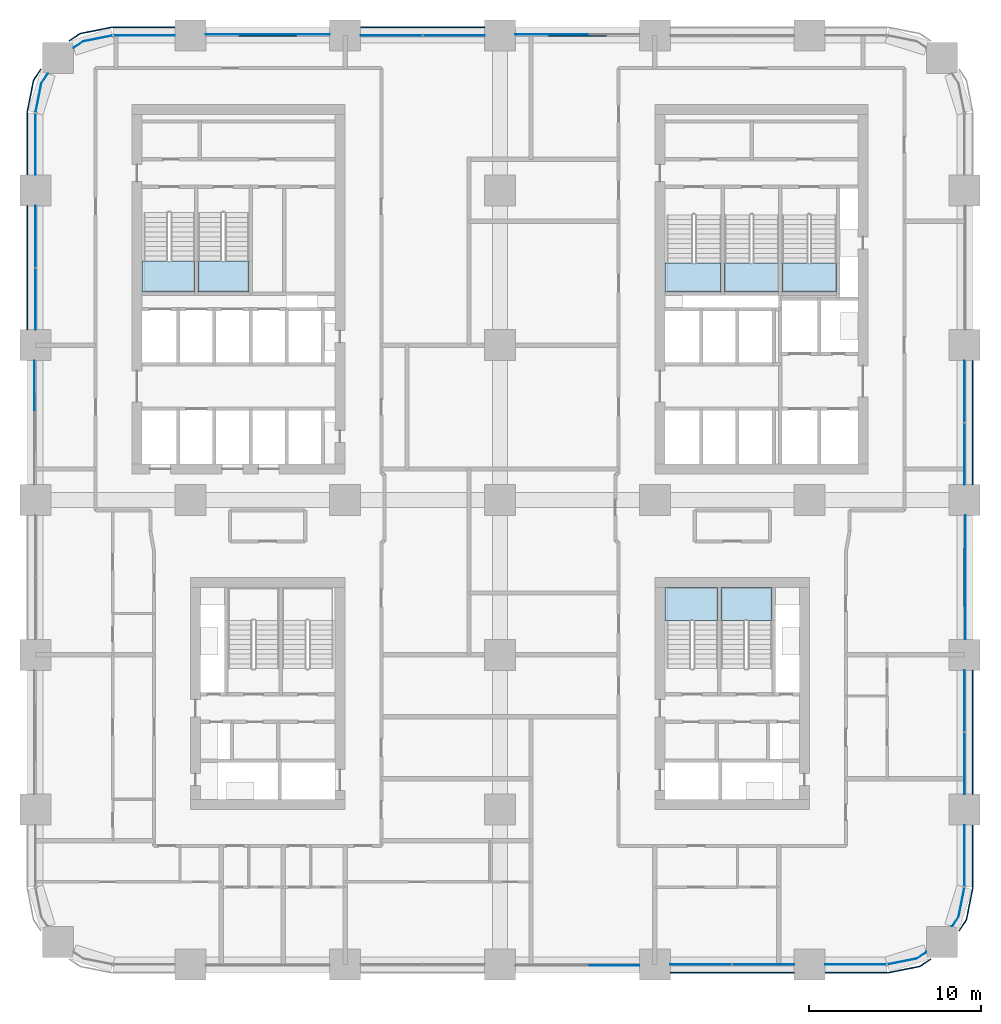
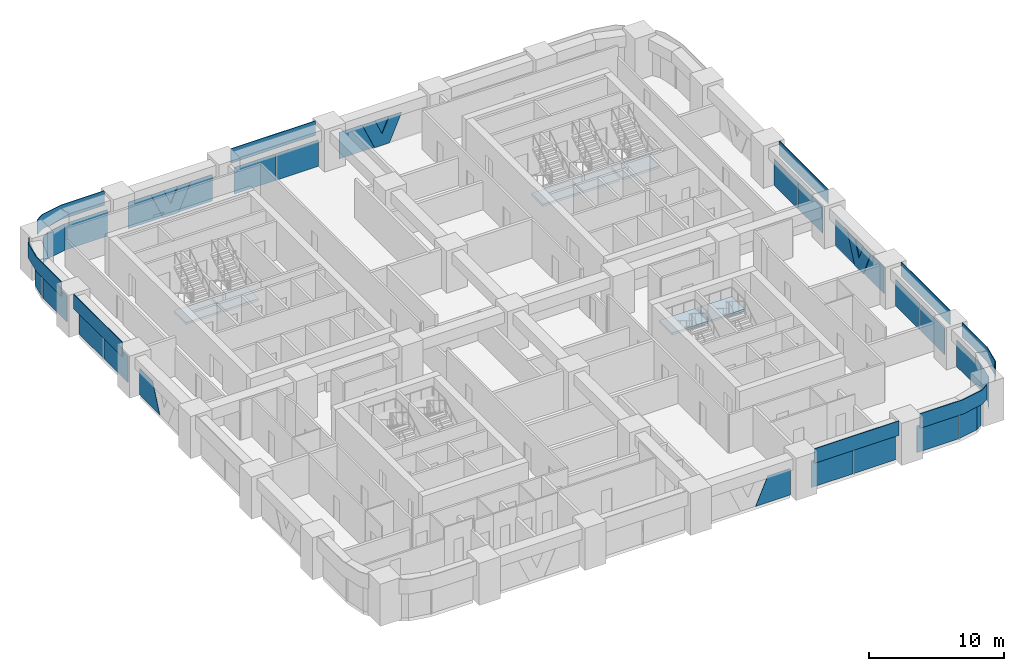
# One storey, part 11 of 21: 40 plates, 7 slabs, 21 elements without a shape of their own.
"""IFC4 building model written with IfcOpenShell, lengths in metres."""

import ifcopenshell
import ifcopenshell.guid

model = None  # the IFC model being written
_history = None  # IfcOwnerHistory: only IFC2X3 demands one
_inside = {}  # id of a spatial element -> (the spatial element, [elements in it])
_under = {}  # id of a project, library or spatial element -> (it, [spatial elements below it])
_declared = {}  # id of a project -> (the project, [libraries it declares])
_typed = {}  # id of a type object -> (the type object, [elements of that type])
_made_of = {}  # id of a material, layer set ... -> (it, [elements and type objects made of it])


def new_model(schema):
    """Start an empty IFC model of exactly this schema.

    Asked for "IFC4X3", IfcOpenShell would pick the latest addendum, in which some entities
    have other attributes; the version numbers below select the first issue.
    IFC2X3 requires an IfcOwnerHistory on every rooted entity: one is made here for all.
    """
    global model, _history
    if schema == "IFC4X3":
        model = ifcopenshell.file(schema_version=(4, 3, 0, 0))
    else:
        model = ifcopenshell.file(schema=schema)
    _inside.clear()
    _under.clear()
    _declared.clear()
    _typed.clear()
    _made_of.clear()
    _history = None
    if model.schema == "IFC2X3":
        org = make("IfcOrganization", Name="unknown")
        user = make(
            "IfcPersonAndOrganization",
            ThePerson=make("IfcPerson", FamilyName="unknown"),
            TheOrganization=org,
        )
        app = make(
            "IfcApplication",
            ApplicationDeveloper=org,
            Version="unknown",
            ApplicationFullName="unknown",
            ApplicationIdentifier="unknown",
        )
        _history = make(
            "IfcOwnerHistory",
            OwningUser=user,
            OwningApplication=app,
            ChangeAction="ADDED",
            CreationDate=0,
        )
    return model


def make(cls, **values):
    """One entity of the class cls with the attributes given. An attribute that is None is left unset."""
    return model.create_entity(
        cls, **{name: value for name, value in values.items() if value is not None}
    )


def rooted(cls, **values):
    """An entity with a GlobalId (a new one), such as an element, a storey or a relation."""
    return make(cls, GlobalId=ifcopenshell.guid.new(), OwnerHistory=_history, **values)


def si_unit(unit_type, name, prefix=None):
    """IfcSIUnit, for example si_unit("LENGTHUNIT", "METRE", prefix="MILLI")."""
    return make("IfcSIUnit", UnitType=unit_type, Prefix=prefix, Name=name)


def assignment(units):
    """IfcUnitAssignment: the units of a project."""
    return None if units is None else make("IfcUnitAssignment", Units=units)


def point(xyz):
    """IfcCartesianPoint."""
    return None if xyz is None else make("IfcCartesianPoint", Coordinates=xyz)


def direction(xyz):
    """IfcDirection."""
    return None if xyz is None else make("IfcDirection", DirectionRatios=xyz)


def frame(location, z_axis=None, x_axis=None):
    """IfcAxis2Placement3D, a coordinate frame: its origin and axes. An axis left out is left unset."""
    return make(
        "IfcAxis2Placement3D",
        Location=point(location),
        Axis=direction(z_axis),
        RefDirection=direction(x_axis),
    )


def frame_2d(location, x_axis=None):
    """IfcAxis2Placement2D, a coordinate frame in the plane: its origin and x axis."""
    return make(
        "IfcAxis2Placement2D", Location=point(location), RefDirection=direction(x_axis)
    )


def origin():
    """The frame at (0, 0, 0) with its axes left unset."""
    return frame((0.0, 0.0, 0.0))


def origin_2d():
    """The frame at (0, 0) in the plane with its x axis left unset."""
    return frame_2d((0.0, 0.0))


def place(relative_to, where):
    """IfcLocalPlacement: puts the frame where relative to a parent placement (None: the world)."""
    return make(
        "IfcLocalPlacement", PlacementRelTo=relative_to, RelativePlacement=where
    )


def context(
    kind, dimensions, precision=None, world=None, true_north=None, identifier=None
):
    """IfcGeometricRepresentationContext, for example the 3D "Model" context."""
    return make(
        "IfcGeometricRepresentationContext",
        ContextIdentifier=identifier,
        ContextType=kind,
        CoordinateSpaceDimension=dimensions,
        Precision=precision,
        WorldCoordinateSystem=world,
        TrueNorth=true_north,
    )


def subcontext(parent, identifier, kind, view, scale=None):
    """IfcGeometricRepresentationSubContext, for example "Body" below "Model"."""
    return make(
        "IfcGeometricRepresentationSubContext",
        ContextIdentifier=identifier,
        ContextType=kind,
        ParentContext=parent,
        TargetScale=scale,
        TargetView=view,
    )


def project(units=None, contexts=None):
    """IfcProject with its units and contexts."""
    return rooted(
        "IfcProject",
        Name="project",
        RepresentationContexts=contexts,
        UnitsInContext=assignment(units),
    )


def spatial(cls, under=None, at=None, **own):
    """A site, building, storey or space (cls), placed at a placement, below another one or the project."""
    s = rooted(cls, ObjectPlacement=at, **own)
    if under is not None:
        _under.setdefault(under.id(), (under, []))[1].append(s)
    return s


def polyline(points):
    """IfcPolyline through the points."""
    return make("IfcPolyline", Points=[point(p) for p in points])


def profile(cls, at=None, kind="AREA", **sizes):
    """A parametric profile (cls). Its sizes go by their IFC names, for example OverallWidth=200.0."""
    return make(cls, ProfileType=kind, Position=at, **sizes)


def rectangle(**sizes):
    """IfcRectangleProfileDef."""
    return profile("IfcRectangleProfileDef", **sizes)


def outline(outer, holes=None, kind="AREA"):
    """IfcArbitraryClosedProfileDef: a profile drawn as a closed curve; with holes, ...WithVoids."""
    if holes is None:
        return make("IfcArbitraryClosedProfileDef", ProfileType=kind, OuterCurve=outer)
    return make(
        "IfcArbitraryProfileDefWithVoids",
        ProfileType=kind,
        OuterCurve=outer,
        InnerCurves=holes,
    )


def extrude(swept, where, along, depth):
    """IfcExtrudedAreaSolid: the profile swept, set in the frame where, extruded along a direction by depth."""
    return make(
        "IfcExtrudedAreaSolid",
        SweptArea=swept,
        Position=where,
        ExtrudedDirection=direction(along),
        Depth=depth,
    )


def shape(context_of_items, identifier, shape_type, items):
    """IfcShapeRepresentation: the items that make up one representation, for example the "Body"."""
    return make(
        "IfcShapeRepresentation",
        ContextOfItems=context_of_items,
        RepresentationIdentifier=identifier,
        RepresentationType=shape_type,
        Items=items,
    )


def material(Name=None, Category=None):
    """IfcMaterial."""
    return make("IfcMaterial", Name=Name, Category=Category)


def layer(
    of_material, thickness, ventilated=None, Name=None, Category=None, Priority=None
):
    """IfcMaterialLayer: one layer of a wall or slab, of a material (None: an air gap)."""
    return make(
        "IfcMaterialLayer",
        Material=of_material,
        LayerThickness=thickness,
        IsVentilated=ventilated,
        Name=Name,
        Category=Category,
        Priority=Priority,
    )


def layer_set(layers, Name=None):
    """IfcMaterialLayerSet."""
    return make("IfcMaterialLayerSet", MaterialLayers=layers, LayerSetName=Name)


def made_of(thing, what):
    """Note that an element or type object is made of a material, layer set ...; save() writes the relation."""
    if what is not None:
        _made_of.setdefault(what.id(), (what, []))[1].append(thing)
    return thing


def type_object(cls, material=None, **own):
    """A type object (cls), such as IfcWallType, which elements share."""
    return made_of(rooted(cls, **own), material)


def element(
    cls,
    number,
    at=None,
    inside=None,
    cuts=None,
    type_object=None,
    material=None,
    context=None,
    identifier="Body",
    shape_type=None,
    held_by="IfcProductDefinitionShape",
    body=None,
    shapes=None,
    **own,
):
    """One element of the class cls, such as IfcWall. Its Tag is "e" and its number.

    at: its placement. inside: the storey or other place that contains it. cuts: it is an
    opening in that element (IfcRelVoidsElement). A single representation is given by context,
    identifier, shape_type and body (its items); several are given by shapes. held_by: the class
    of the entity that holds the representations. save() writes the other relations.
    """
    e = rooted(cls, Tag="e%d" % number, ObjectPlacement=at, **own)
    if body is not None:
        shapes = [shape(context, identifier, shape_type, body)]
    if shapes is not None:
        e.Representation = make(held_by, Representations=shapes)
    if inside is not None:
        _inside.setdefault(inside.id(), (inside, []))[1].append(e)
    if cuts is not None:
        rooted(
            "IfcRelVoidsElement", RelatingBuildingElement=cuts, RelatedOpeningElement=e
        )
    if type_object is not None:
        _typed.setdefault(type_object.id(), (type_object, []))[1].append(e)
    return made_of(e, material)


def aggregate(whole, parts):
    """IfcRelAggregates: a whole, such as a stair, and the parts it consists of."""
    return rooted("IfcRelAggregates", RelatingObject=whole, RelatedObjects=parts)


def save(model, path):
    """Write the relations noted so far, then the file.

    IfcRelAggregates (storeys below a building ...), IfcRelContainedInSpatialStructure (elements
    in a storey), IfcRelDefinesByType, IfcRelAssociatesMaterial and IfcRelDeclares: one each for
    every whole, place, type object, material and project.
    """
    for whole, parts in _under.values():
        aggregate(whole, parts)
    for where, things in _inside.values():
        rooted(
            "IfcRelContainedInSpatialStructure",
            RelatedElements=things,
            RelatingStructure=where,
        )
    for kind, things in _typed.values():
        rooted("IfcRelDefinesByType", RelatedObjects=things, RelatingType=kind)
    for what, things in _made_of.values():
        rooted("IfcRelAssociatesMaterial", RelatedObjects=things, RelatingMaterial=what)
    for by, libraries in _declared.values():
        rooted("IfcRelDeclares", RelatingContext=by, RelatedDefinitions=libraries)
    model.write(path)


model = new_model("IFC4")

# Units and contexts
model_context = context("Model", 3, precision=1e-05, world=origin(), true_north=direction((0.0, 1.0)))
body_context = subcontext(model_context, "Body", "Model", "MODEL_VIEW")
ifc_project = project(units=[si_unit("LENGTHUNIT", "METRE"), si_unit("AREAUNIT", "SQUARE_METRE"), si_unit("VOLUMEUNIT", "CUBIC_METRE"), si_unit("PLANEANGLEUNIT", "RADIAN"), si_unit("MASSUNIT", "GRAM", prefix="KILO")], contexts=[model_context])

# Site, building, storey
site_placement = place(None, origin())
site = spatial("IfcSite", under=ifc_project, at=site_placement, CompositionType="ELEMENT")
building_placement = place(site_placement, origin())
building = spatial("IfcBuilding", under=site, at=building_placement, Name="Tessera Arch", CompositionType="ELEMENT")
storey_placement = place(building_placement, frame((0.0, 0.0, 69.0)))
storey = spatial("IfcBuildingStorey", under=building, at=storey_placement, Name="L15", CompositionType="ELEMENT", Elevation=69.0)

# Curtain wall, plates
ifc_material_1 = material(Name="CW1 curtain wall")
curtain_wall_type_1 = type_object("IfcCurtainWallType", Name="CW1 curtain wall", PredefinedType="NOTDEFINED", material=ifc_material_1)
curtain_wall_1_placement = place(storey_placement, origin())
curtain_wall_1 = element("IfcCurtainWall", 1, at=curtain_wall_1_placement, inside=storey, type_object=curtain_wall_type_1, Name="CW1 curtain wall S0.0/3 L15", PredefinedType="NOTDEFINED")
ifc_material_2 = material(Name="Clear low-e glass", Category="glass")
ifc_material_3 = material(Name="Clear low-e glass", Category="glass")
ifc_layer_1 = layer(ifc_material_3, 0.028076171875)
ifc_layer_set_1 = layer_set([ifc_layer_1], Name="CW1 glass panel")
plate_type_1 = type_object("IfcPlateType", Name="CW1 glass panel", PredefinedType="CURTAIN_PANEL", material=ifc_layer_set_1)
plate_1_placement = place(storey_placement, frame((38.68505859375, 0.0, 0.0), z_axis=(0.0, 0.0, 1.0), x_axis=(1.0, 0.0, 0.0)))
plate_1 = element("IfcPlate", 2, at=plate_1_placement, type_object=plate_type_1, material=ifc_material_2, Name="CW1 glass panel S0.0/3 1.1.1", PredefinedType="CURTAIN_PANEL", context=body_context, shape_type="SweptSolid", body=[
    extrude(rectangle(XDim=3.570068359375, YDim=0.028076171875, at=origin_2d()), origin(), (0.0, 0.0, 1.0), 2.39990234375),
])
plate_2_placement = place(storey_placement, frame((42.31494140625, 0.0, 0.0), z_axis=(0.0, 0.0, 1.0), x_axis=(1.0, 0.0, 0.0)))
plate_2 = element("IfcPlate", 3, at=plate_2_placement, type_object=plate_type_1, material=ifc_material_2, Name="CW1 glass panel S0.0/3 1.2.1", PredefinedType="CURTAIN_PANEL", context=body_context, shape_type="SweptSolid", body=[
    extrude(rectangle(XDim=3.570068359375, YDim=0.028076171875, at=origin_2d()), origin(), (0.0, 0.0, 1.0), 2.39990234375),
])

curtain_wall_2_placement = place(storey_placement, origin())
curtain_wall_2 = element("IfcCurtainWall", 4, at=curtain_wall_2_placement, inside=storey, type_object=curtain_wall_type_1, Name="CW1 curtain wall E54.0/1 L15", PredefinedType="NOTDEFINED")
plate_3_placement = place(storey_placement, frame((54.0, 11.68505859375, 0.0), z_axis=(0.0, 0.0, 1.0), x_axis=(0.0, 1.0, 0.0)))
plate_3 = element("IfcPlate", 5, at=plate_3_placement, type_object=plate_type_1, material=ifc_material_2, Name="CW1 glass panel E54.0/1 1.1.1", PredefinedType="CURTAIN_PANEL", context=body_context, shape_type="SweptSolid", body=[
    extrude(rectangle(XDim=3.570068359375, YDim=0.028076171875, at=origin_2d()), origin(), (0.0, 0.0, 1.0), 2.39990234375),
])
plate_4_placement = place(storey_placement, frame((54.0, 15.31494140625, 0.0), z_axis=(0.0, 0.0, 1.0), x_axis=(0.0, 1.0, 0.0)))
plate_4 = element("IfcPlate", 6, at=plate_4_placement, type_object=plate_type_1, material=ifc_material_2, Name="CW1 glass panel E54.0/1 1.2.1", PredefinedType="CURTAIN_PANEL", context=body_context, shape_type="SweptSolid", body=[
    extrude(rectangle(XDim=3.570068359375, YDim=0.028076171875, at=origin_2d()), origin(), (0.0, 0.0, 1.0), 2.39990234375),
])

curtain_wall_3_placement = place(storey_placement, origin())
curtain_wall_3 = element("IfcCurtainWall", 7, at=curtain_wall_3_placement, inside=storey, type_object=curtain_wall_type_1, Name="CW1 curtain wall E54.0/3 L15", PredefinedType="NOTDEFINED")
plate_5_placement = place(storey_placement, frame((54.0, 29.68505859375, 0.0), z_axis=(0.0, 0.0, 1.0), x_axis=(0.0, 1.0, 0.0)))
plate_5 = element("IfcPlate", 8, at=plate_5_placement, type_object=plate_type_1, material=ifc_material_2, Name="CW1 glass panel E54.0/3 1.1.1", PredefinedType="CURTAIN_PANEL", context=body_context, shape_type="SweptSolid", body=[
    extrude(rectangle(XDim=3.570068359375, YDim=0.028076171875, at=origin_2d()), origin(), (0.0, 0.0, 1.0), 2.39990234375),
])
plate_6_placement = place(storey_placement, frame((54.0, 33.31494140625, 0.0), z_axis=(0.0, 0.0, 1.0), x_axis=(0.0, 1.0, 0.0)))
plate_6 = element("IfcPlate", 9, at=plate_6_placement, type_object=plate_type_1, material=ifc_material_2, Name="CW1 glass panel E54.0/3 1.2.1", PredefinedType="CURTAIN_PANEL", context=body_context, shape_type="SweptSolid", body=[
    extrude(rectangle(XDim=3.570068359375, YDim=0.028076171875, at=origin_2d()), origin(), (0.0, 0.0, 1.0), 2.39990234375),
])

curtain_wall_4_placement = place(storey_placement, origin())
curtain_wall_4 = element("IfcCurtainWall", 10, at=curtain_wall_4_placement, inside=storey, type_object=curtain_wall_type_1, Name="CW1 curtain wall N54.0/3 L15", PredefinedType="NOTDEFINED")
plate_7_placement = place(storey_placement, frame((24.31494140625, 54.0, 0.0), z_axis=(0.0, 0.0, 1.0), x_axis=(-1.0, 0.0, 0.0)))
plate_7 = element("IfcPlate", 11, at=plate_7_placement, type_object=plate_type_1, material=ifc_material_2, Name="CW1 glass panel N54.0/3 1.1.1", PredefinedType="CURTAIN_PANEL", context=body_context, shape_type="SweptSolid", body=[
    extrude(rectangle(XDim=3.570068359375, YDim=0.028076171875, at=origin_2d()), origin(), (0.0, 0.0, 1.0), 2.39990234375),
])
plate_8_placement = place(storey_placement, frame((20.68505859375, 54.0, 0.0), z_axis=(0.0, 0.0, 1.0), x_axis=(-1.0, 0.0, 0.0)))
plate_8 = element("IfcPlate", 12, at=plate_8_placement, type_object=plate_type_1, material=ifc_material_2, Name="CW1 glass panel N54.0/3 1.2.1", PredefinedType="CURTAIN_PANEL", context=body_context, shape_type="SweptSolid", body=[
    extrude(rectangle(XDim=3.570068359375, YDim=0.028076171875, at=origin_2d()), origin(), (0.0, 0.0, 1.0), 2.39990234375),
])

curtain_wall_5_placement = place(storey_placement, origin())
curtain_wall_5 = element("IfcCurtainWall", 13, at=curtain_wall_5_placement, inside=storey, type_object=curtain_wall_type_1, Name="CW1 curtain wall W0.0/1 L15", PredefinedType="NOTDEFINED")
plate_9_placement = place(storey_placement, frame((0.0, 42.31494140625, 0.0), z_axis=(0.0, 0.0, 1.0), x_axis=(0.0, -1.0, 0.0)))
plate_9 = element("IfcPlate", 14, at=plate_9_placement, type_object=plate_type_1, material=ifc_material_2, Name="CW1 glass panel W0.0/1 1.1.1", PredefinedType="CURTAIN_PANEL", context=body_context, shape_type="SweptSolid", body=[
    extrude(rectangle(XDim=3.570068359375, YDim=0.028076171875, at=origin_2d()), origin(), (0.0, 0.0, 1.0), 2.39990234375),
])
plate_10_placement = place(storey_placement, frame((0.0, 38.68505859375, 0.0), z_axis=(0.0, 0.0, 1.0), x_axis=(0.0, -1.0, 0.0)))
plate_10 = element("IfcPlate", 15, at=plate_10_placement, type_object=plate_type_1, material=ifc_material_2, Name="CW1 glass panel W0.0/1 1.2.1", PredefinedType="CURTAIN_PANEL", context=body_context, shape_type="SweptSolid", body=[
    extrude(rectangle(XDim=3.570068359375, YDim=0.028076171875, at=origin_2d()), origin(), (0.0, 0.0, 1.0), 2.39990234375),
])

# Plate
ifc_material_4 = material(Name="Pale anodised aluminium panel", Category="aluminium")
ifc_layer_2 = layer(ifc_material_4, 0.06005859375)
ifc_layer_set_2 = layer_set([ifc_layer_2], Name="CW1 spandrel panel")
plate_type_2 = type_object("IfcPlateType", Name="CW1 spandrel panel", PredefinedType="CURTAIN_PANEL", material=ifc_layer_set_2)
plate_11_placement = place(storey_placement, frame((40.5, -0.47998046875, 2.5), z_axis=(0.0, 0.0, 1.0), x_axis=(1.0, 0.0, 0.0)))
plate_11 = element("IfcPlate", 16, at=plate_11_placement, type_object=plate_type_2, Name="CW1 spandrel panel S0.0/3", PredefinedType="CURTAIN_PANEL", context=body_context, shape_type="SweptSolid", body=[
    extrude(rectangle(XDim=7.199951171875, YDim=0.06005859375, at=origin_2d()), origin(), (0.0, 0.0, 1.0), 1.300048828125),
])

aggregate(curtain_wall_1, [plate_1, plate_2, plate_11])

plate_12_placement = place(storey_placement, frame((54.47998046875, 13.5, 2.5), z_axis=(0.0, 0.0, 1.0), x_axis=(0.0, 1.0, 0.0)))
plate_12 = element("IfcPlate", 17, at=plate_12_placement, type_object=plate_type_2, Name="CW1 spandrel panel E54.0/1", PredefinedType="CURTAIN_PANEL", context=body_context, shape_type="SweptSolid", body=[
    extrude(rectangle(XDim=7.199951171875, YDim=0.06005859375, at=origin_2d()), origin(), (0.0, 0.0, 1.0), 1.300048828125),
])

aggregate(curtain_wall_2, [plate_3, plate_4, plate_12])

plate_13_placement = place(storey_placement, frame((54.47998046875, 31.5, 2.5), z_axis=(0.0, 0.0, 1.0), x_axis=(0.0, 1.0, 0.0)))
plate_13 = element("IfcPlate", 18, at=plate_13_placement, type_object=plate_type_2, Name="CW1 spandrel panel E54.0/3", PredefinedType="CURTAIN_PANEL", context=body_context, shape_type="SweptSolid", body=[
    extrude(rectangle(XDim=7.199951171875, YDim=0.06005859375, at=origin_2d()), origin(), (0.0, 0.0, 1.0), 1.300048828125),
])

aggregate(curtain_wall_3, [plate_5, plate_6, plate_13])

plate_14_placement = place(storey_placement, frame((22.5, 54.47998046875, 2.5), z_axis=(0.0, 0.0, 1.0), x_axis=(-1.0, 0.0, 0.0)))
plate_14 = element("IfcPlate", 19, at=plate_14_placement, type_object=plate_type_2, Name="CW1 spandrel panel N54.0/3", PredefinedType="CURTAIN_PANEL", context=body_context, shape_type="SweptSolid", body=[
    extrude(rectangle(XDim=7.199951171875, YDim=0.06005859375, at=origin_2d()), origin(), (0.0, 0.0, 1.0), 1.300048828125),
])

aggregate(curtain_wall_4, [plate_7, plate_8, plate_14])

plate_15_placement = place(storey_placement, frame((-0.47998046875, 40.5, 2.5), z_axis=(0.0, 0.0, 1.0), x_axis=(0.0, -1.0, 0.0)))
plate_15 = element("IfcPlate", 20, at=plate_15_placement, type_object=plate_type_2, Name="CW1 spandrel panel W0.0/1", PredefinedType="CURTAIN_PANEL", context=body_context, shape_type="SweptSolid", body=[
    extrude(rectangle(XDim=7.199951171875, YDim=0.06005859375, at=origin_2d()), origin(), (0.0, 0.0, 1.0), 1.300048828125),
])

aggregate(curtain_wall_5, [plate_9, plate_10, plate_15])

# Curtain wall, plates
ifc_material_5 = material(Name="CW2 curtain wall")
curtain_wall_type_2 = type_object("IfcCurtainWallType", Name="CW2 curtain wall", PredefinedType="NOTDEFINED", material=ifc_material_5)
curtain_wall_6_placement = place(storey_placement, origin())
curtain_wall_6 = element("IfcCurtainWall", 21, at=curtain_wall_6_placement, inside=storey, type_object=curtain_wall_type_2, Name="CW2 curtain wall S0.0/4 L15", PredefinedType="NOTDEFINED")
ifc_material_6 = material(Name="Clear low-e glass", Category="glass")
ifc_layer_3 = layer(ifc_material_6, 0.028076171875)
ifc_layer_set_3 = layer_set([ifc_layer_3], Name="CW2 glass panel")
plate_type_3 = type_object("IfcPlateType", Name="CW2 glass panel", PredefinedType="CURTAIN_PANEL", material=ifc_layer_set_3)
plate_16_placement = place(storey_placement, frame((47.679931640625, 0.0, 0.0), z_axis=(0.0, 0.0, 1.0), x_axis=(1.0, 0.0, 0.0)))
plate_16 = element("IfcPlate", 22, at=plate_16_placement, type_object=plate_type_3, material=ifc_material_2, Name="CW2 glass panel S0.0/4 1.1", PredefinedType="CURTAIN_PANEL", context=body_context, shape_type="SweptSolid", body=[
    extrude(rectangle(XDim=3.56005859375, YDim=0.028076171875, at=origin_2d()), origin(), (0.0, 0.0, 1.0), 2.39990234375),
])
plate_17_placement = place(storey_placement, origin())
plate_17 = element("IfcPlate", 23, at=plate_17_placement, type_object=plate_type_3, material=ifc_material_2, Name="CW2 curved glass panel S0.0/4 2.1", PredefinedType="CURTAIN_PANEL", context=body_context, shape_type="SweptSolid", body=[
    extrude(outline(polyline([(51.216552734375, 0.355712890625), (49.53662109375, 0.021484375), (49.5419921875, -0.005859375), (51.2275390625, 0.329345703125), (51.789794921875, 0.705078125), (51.774169921875, 0.728271484375), (51.216552734375, 0.355712890625)])), origin(), (0.0, 0.0, 1.0), 2.39990234375),
])

curtain_wall_7_placement = place(storey_placement, origin())
curtain_wall_7 = element("IfcCurtainWall", 24, at=curtain_wall_7_placement, inside=storey, type_object=curtain_wall_type_2, Name="CW2 curtain wall E54.0/0 L15", PredefinedType="NOTDEFINED")
plate_18_placement = place(storey_placement, frame((54.0, 6.320068359375, 0.0), z_axis=(0.0, 0.0, 1.0), x_axis=(0.0, 1.0, 0.0)))
plate_18 = element("IfcPlate", 25, at=plate_18_placement, type_object=plate_type_3, material=ifc_material_2, Name="CW2 glass panel E54.0/0 1.1", PredefinedType="CURTAIN_PANEL", context=body_context, shape_type="SweptSolid", body=[
    extrude(rectangle(XDim=3.56005859375, YDim=0.028076171875, at=origin_2d()), origin(), (0.0, 0.0, 1.0), 2.39990234375),
])
plate_19_placement = place(storey_placement, origin())
plate_19 = element("IfcPlate", 26, at=plate_19_placement, type_object=plate_type_3, material=ifc_material_2, Name="CW2 curved glass panel E54.0/0 2.1", PredefinedType="CURTAIN_PANEL", context=body_context, shape_type="SweptSolid", body=[
    extrude(outline(polyline([(53.644287109375, 2.783447265625), (53.271728515625, 2.225830078125), (53.294921875, 2.210205078125), (53.670654296875, 2.7724609375), (54.005859375, 4.4580078125), (53.978515625, 4.46337890625), (53.644287109375, 2.783447265625)])), origin(), (0.0, 0.0, 1.0), 2.39990234375),
])

curtain_wall_8_placement = place(storey_placement, origin())
curtain_wall_8 = element("IfcCurtainWall", 27, at=curtain_wall_8_placement, inside=storey, type_object=curtain_wall_type_2, Name="CW2 curtain wall N54.0/5 L15", PredefinedType="NOTDEFINED")
plate_20_placement = place(storey_placement, frame((6.320068359375, 54.0, 0.0), z_axis=(0.0, 0.0, 1.0), x_axis=(-1.0, 0.0, 0.0)))
plate_20 = element("IfcPlate", 28, at=plate_20_placement, type_object=plate_type_3, material=ifc_material_2, Name="CW2 glass panel N54.0/5 1.1", PredefinedType="CURTAIN_PANEL", context=body_context, shape_type="SweptSolid", body=[
    extrude(rectangle(XDim=3.56005859375, YDim=0.028076171875, at=origin_2d()), origin(), (0.0, 0.0, 1.0), 2.39990234375),
])
plate_21_placement = place(storey_placement, origin())
plate_21 = element("IfcPlate", 29, at=plate_21_placement, type_object=plate_type_3, material=ifc_material_2, Name="CW2 curved glass panel N54.0/5 2.1", PredefinedType="CURTAIN_PANEL", context=body_context, shape_type="SweptSolid", body=[
    extrude(outline(polyline([(2.783447265625, 53.644287109375), (4.46337890625, 53.978515625), (4.4580078125, 54.005859375), (2.7724609375, 53.670654296875), (2.210205078125, 53.294921875), (2.225830078125, 53.271728515625), (2.783447265625, 53.644287109375)])), origin(), (0.0, 0.0, 1.0), 2.39990234375),
])

curtain_wall_9_placement = place(storey_placement, origin())
curtain_wall_9 = element("IfcCurtainWall", 30, at=curtain_wall_9_placement, inside=storey, type_object=curtain_wall_type_2, Name="CW2 curtain wall W0.0/0 L15", PredefinedType="NOTDEFINED")
plate_22_placement = place(storey_placement, frame((0.0, 47.679931640625, 0.0), z_axis=(0.0, 0.0, 1.0), x_axis=(0.0, -1.0, 0.0)))
plate_22 = element("IfcPlate", 31, at=plate_22_placement, type_object=plate_type_3, material=ifc_material_2, Name="CW2 glass panel W0.0/0 1.1", PredefinedType="CURTAIN_PANEL", context=body_context, shape_type="SweptSolid", body=[
    extrude(rectangle(XDim=3.56005859375, YDim=0.028076171875, at=origin_2d()), origin(), (0.0, 0.0, 1.0), 2.39990234375),
])
plate_23_placement = place(storey_placement, origin())
plate_23 = element("IfcPlate", 32, at=plate_23_placement, type_object=plate_type_3, material=ifc_material_2, Name="CW2 curved glass panel W0.0/0 2.1", PredefinedType="CURTAIN_PANEL", context=body_context, shape_type="SweptSolid", body=[
    extrude(outline(polyline([(0.355712890625, 51.216552734375), (0.728271484375, 51.774169921875), (0.705078125, 51.789794921875), (0.329345703125, 51.2275390625), (-0.005859375, 49.5419921875), (0.021484375, 49.53662109375), (0.355712890625, 51.216552734375)])), origin(), (0.0, 0.0, 1.0), 2.39990234375),
])

# Plate
ifc_material_7 = material(Name="Pale anodised aluminium panel", Category="aluminium")
ifc_layer_4 = layer(ifc_material_7, 0.06005859375)
ifc_layer_set_4 = layer_set([ifc_layer_4], Name="CW2 spandrel panel")
plate_type_4 = type_object("IfcPlateType", Name="CW2 spandrel panel", PredefinedType="CURTAIN_PANEL", material=ifc_layer_set_4)
plate_24_placement = place(storey_placement, frame((0.0, 0.0, 2.5)))
plate_24 = element("IfcPlate", 33, at=plate_24_placement, type_object=plate_type_4, Name="CW2 spandrel panel S0.0/4", PredefinedType="CURTAIN_PANEL", context=body_context, shape_type="SweptSolid", body=[
    extrude(outline(polyline([(49.499267578125, -0.449951171875), (45.89990234375, -0.449951171875), (45.89990234375, -0.510009765625), (49.500732421875, -0.510009765625), (49.550048828125, -0.507568359375), (49.598876953125, -0.500244140625), (51.322265625, -0.157470703125), (51.3701171875, -0.1455078125), (51.417236328125, -0.128662109375), (51.462646484375, -0.107177734375), (51.5048828125, -0.08203125), (52.0654296875, 0.292724609375), (52.031982421875, 0.342529296875), (51.47265625, -0.03125), (51.434326171875, -0.05419921875), (51.394287109375, -0.0732421875), (51.352783203125, -0.088134765625), (51.30908203125, -0.09912109375), (49.588623046875, -0.441162109375), (49.544189453125, -0.44775390625), (49.499267578125, -0.449951171875)])), origin(), (0.0, 0.0, 1.0), 1.300048828125),
])

aggregate(curtain_wall_6, [plate_16, plate_17, plate_24])

plate_25_placement = place(storey_placement, frame((0.0, 0.0, 2.5)))
plate_25 = element("IfcPlate", 34, at=plate_25_placement, type_object=plate_type_4, Name="CW2 spandrel panel E54.0/0", PredefinedType="CURTAIN_PANEL", context=body_context, shape_type="SweptSolid", body=[
    extrude(outline(polyline([(54.03125, 2.52734375), (53.657470703125, 1.968017578125), (53.707275390625, 1.9345703125), (54.08203125, 2.4951171875), (54.107177734375, 2.537353515625), (54.128662109375, 2.582763671875), (54.1455078125, 2.6298828125), (54.157470703125, 2.677734375), (54.500244140625, 4.401123046875), (54.507568359375, 4.449951171875), (54.510009765625, 4.499267578125), (54.510009765625, 8.10009765625), (54.449951171875, 8.10009765625), (54.449951171875, 4.500732421875), (54.44775390625, 4.455810546875), (54.441162109375, 4.411376953125), (54.09912109375, 2.69091796875), (54.088134765625, 2.647216796875), (54.0732421875, 2.605712890625), (54.05419921875, 2.565673828125), (54.03125, 2.52734375)])), origin(), (0.0, 0.0, 1.0), 1.300048828125),
])

aggregate(curtain_wall_7, [plate_18, plate_19, plate_25])

plate_26_placement = place(storey_placement, frame((0.0, 0.0, 2.5)))
plate_26 = element("IfcPlate", 35, at=plate_26_placement, type_object=plate_type_4, Name="CW2 spandrel panel N54.0/5", PredefinedType="CURTAIN_PANEL", context=body_context, shape_type="SweptSolid", body=[
    extrude(outline(polyline([(4.500732421875, 54.449951171875), (8.10009765625, 54.449951171875), (8.10009765625, 54.510009765625), (4.499267578125, 54.510009765625), (4.449951171875, 54.507568359375), (4.401123046875, 54.500244140625), (2.677734375, 54.157470703125), (2.6298828125, 54.1455078125), (2.582763671875, 54.128662109375), (2.537353515625, 54.107177734375), (2.4951171875, 54.08203125), (1.9345703125, 53.707275390625), (1.968017578125, 53.657470703125), (2.52734375, 54.03125), (2.565673828125, 54.05419921875), (2.605712890625, 54.0732421875), (2.647216796875, 54.088134765625), (2.69091796875, 54.09912109375), (4.411376953125, 54.441162109375), (4.455810546875, 54.44775390625), (4.500732421875, 54.449951171875)])), origin(), (0.0, 0.0, 1.0), 1.300048828125),
])

aggregate(curtain_wall_8, [plate_20, plate_21, plate_26])

plate_27_placement = place(storey_placement, frame((0.0, 0.0, 2.5)))
plate_27 = element("IfcPlate", 36, at=plate_27_placement, type_object=plate_type_4, Name="CW2 spandrel panel W0.0/0", PredefinedType="CURTAIN_PANEL", context=body_context, shape_type="SweptSolid", body=[
    extrude(outline(polyline([(-0.03125, 51.47265625), (0.342529296875, 52.031982421875), (0.292724609375, 52.0654296875), (-0.08203125, 51.5048828125), (-0.107177734375, 51.462646484375), (-0.128662109375, 51.417236328125), (-0.1455078125, 51.3701171875), (-0.157470703125, 51.322265625), (-0.500244140625, 49.598876953125), (-0.507568359375, 49.550048828125), (-0.510009765625, 49.500732421875), (-0.510009765625, 45.89990234375), (-0.449951171875, 45.89990234375), (-0.449951171875, 49.499267578125), (-0.44775390625, 49.544189453125), (-0.441162109375, 49.588623046875), (-0.09912109375, 51.30908203125), (-0.088134765625, 51.352783203125), (-0.0732421875, 51.394287109375), (-0.05419921875, 51.434326171875), (-0.03125, 51.47265625)])), origin(), (0.0, 0.0, 1.0), 1.300048828125),
])

aggregate(curtain_wall_9, [plate_22, plate_23, plate_27])

# Curtain wall, plate
ifc_material_8 = material(Name="CW3 curtain wall")
curtain_wall_type_3 = type_object("IfcCurtainWallType", Name="CW3 curtain wall", PredefinedType="NOTDEFINED", material=ifc_material_8)
curtain_wall_10_placement = place(storey_placement, origin())
curtain_wall_10 = element("IfcCurtainWall", 37, at=curtain_wall_10_placement, inside=storey, type_object=curtain_wall_type_3, Name="CW3 curtain wall E54.0/2 L15", PredefinedType="NOTDEFINED")
ifc_material_9 = material(Name="Pale anodised aluminium panel", Category="aluminium")
ifc_layer_5 = layer(ifc_material_9, 0.06005859375)
ifc_layer_set_5 = layer_set([ifc_layer_5], Name="CW3 diagonal panel")
plate_type_5 = type_object("IfcPlateType", Name="CW3 diagonal panel", PredefinedType="CURTAIN_PANEL", material=ifc_layer_set_5)
plate_28_placement = place(storey_placement, frame((54.030029296875, 24.184326171875, 2.39990234375), z_axis=(1.0, 0.0, 0.0), x_axis=(0.0, -1.0, 0.0)))
plate_28 = element("IfcPlate", 38, at=plate_28_placement, type_object=plate_type_5, Name="CW3 diagonal panel E54.0/2 1", PredefinedType="CURTAIN_PANEL", context=body_context, shape_type="SweptSolid", body=[
    extrude(outline(polyline([(0.0, 0.0), (1.085693359375, 0.0), (1.684326171875, 1.363525390625), (2.282958984375, 0.0), (3.36865234375, 0.0), (2.31494140625, 2.39990234375), (1.0537109375, 2.39990234375), (0.0, 0.0)])), origin(), (0.0, 0.0, -1.0), 0.06005859375),
])

curtain_wall_11_placement = place(storey_placement, origin())
curtain_wall_11 = element("IfcCurtainWall", 39, at=curtain_wall_11_placement, inside=storey, type_object=curtain_wall_type_3, Name="CW3 curtain wall N54.0/2 L15", PredefinedType="NOTDEFINED")
plate_29_placement = place(storey_placement, frame((29.815673828125, 54.030029296875, 2.39990234375), z_axis=(0.0, 1.0, 0.0), x_axis=(1.0, 0.0, 0.0)))
plate_29 = element("IfcPlate", 40, at=plate_29_placement, type_object=plate_type_5, Name="CW3 diagonal panel N54.0/2 1", PredefinedType="CURTAIN_PANEL", context=body_context, shape_type="SweptSolid", body=[
    extrude(outline(polyline([(0.0, 0.0), (1.085693359375, 0.0), (1.684326171875, 1.363525390625), (2.282958984375, 0.0), (3.36865234375, 0.0), (2.31494140625, 2.39990234375), (1.0537109375, 2.39990234375), (0.0, 0.0)])), origin(), (0.0, 0.0, -1.0), 0.06005859375),
])

curtain_wall_12_placement = place(storey_placement, origin())
curtain_wall_12 = element("IfcCurtainWall", 41, at=curtain_wall_12_placement, inside=storey, type_object=curtain_wall_type_3, Name="CW3 curtain wall N54.0/4 L15", PredefinedType="NOTDEFINED")
plate_30_placement = place(storey_placement, frame((11.815673828125, 54.030029296875, 2.39990234375), z_axis=(0.0, 1.0, 0.0), x_axis=(1.0, 0.0, 0.0)))
plate_30 = element("IfcPlate", 42, at=plate_30_placement, type_object=plate_type_5, Name="CW3 diagonal panel N54.0/4 1", PredefinedType="CURTAIN_PANEL", context=body_context, shape_type="SweptSolid", body=[
    extrude(outline(polyline([(0.0, 0.0), (1.085693359375, 0.0), (1.684326171875, 1.363525390625), (2.282958984375, 0.0), (3.36865234375, 0.0), (2.31494140625, 2.39990234375), (1.0537109375, 2.39990234375), (0.0, 0.0)])), origin(), (0.0, 0.0, -1.0), 0.06005859375),
])

curtain_wall_13_placement = place(storey_placement, origin())
curtain_wall_13 = element("IfcCurtainWall", 43, at=curtain_wall_13_placement, inside=storey, type_object=curtain_wall_type_3, Name="CW3 curtain wall S0.0/2 L15", PredefinedType="NOTDEFINED")
ifc_material_10 = material(Name="Clear low-e glass", Category="glass")
ifc_layer_6 = layer(ifc_material_10, 0.028076171875)
ifc_layer_set_6 = layer_set([ifc_layer_6], Name="CW3 glass panel")
plate_type_6 = type_object("IfcPlateType", Name="CW3 glass panel", PredefinedType="CURTAIN_PANEL", material=ifc_layer_set_6)
plate_31_placement = place(storey_placement, frame((35.10009765625, -0.05810546875, 2.39990234375), z_axis=(0.0, -1.0, 0.0), x_axis=(-1.0, 0.0, 0.0)))
plate_31 = element("IfcPlate", 44, at=plate_31_placement, type_object=plate_type_6, material=ifc_material_2, Name="CW3 triangulated glass panel S0.0/2 3", PredefinedType="CURTAIN_PANEL", context=body_context, shape_type="SweptSolid", body=[
    extrude(outline(polyline([(0.0, 0.0), (1.915771484375, 0.0), (2.969482421875, 2.39990234375), (0.0, 2.39990234375), (0.0, 0.0)])), origin(), (0.0, 0.0, -1.0), 0.028076171875),
])
aggregate(curtain_wall_13, [plate_31])

# Plate
plate_32_placement = place(storey_placement, frame((54.05810546875, 18.89990234375, 0.0), z_axis=(1.0, 0.0, 0.0), x_axis=(0.0, 1.0, 0.0)))
plate_32 = element("IfcPlate", 45, at=plate_32_placement, type_object=plate_type_6, material=ifc_material_2, Name="CW3 triangulated glass panel E54.0/2 1", PredefinedType="CURTAIN_PANEL", context=body_context, shape_type="SweptSolid", body=[
    extrude(outline(polyline([(0.0, 0.0), (2.969482421875, 0.0), (1.915771484375, 2.39990234375), (0.0, 2.39990234375), (0.0, 0.0)])), origin(), (0.0, 0.0, -1.0), 0.028076171875),
])

plate_33_placement = place(storey_placement, frame((54.05810546875, 23.0986328125, 2.39990234375), z_axis=(1.0, 0.0, 0.0), x_axis=(0.0, -1.0, 0.0)))
plate_33 = element("IfcPlate", 46, at=plate_33_placement, type_object=plate_type_6, material=ifc_material_2, Name="CW3 triangulated glass panel E54.0/2 2", PredefinedType="CURTAIN_PANEL", context=body_context, shape_type="SweptSolid", body=[
    extrude(outline(polyline([(0.0, 0.0), (1.197265625, 0.0), (0.5986328125, 1.363525390625), (0.0, 0.0)])), origin(), (0.0, 0.0, -1.0), 0.028076171875),
])

plate_34_placement = place(storey_placement, frame((54.05810546875, 26.10009765625, 2.39990234375), z_axis=(1.0, 0.0, 0.0), x_axis=(0.0, -1.0, 0.0)))
plate_34 = element("IfcPlate", 47, at=plate_34_placement, type_object=plate_type_6, material=ifc_material_2, Name="CW3 triangulated glass panel E54.0/2 3", PredefinedType="CURTAIN_PANEL", context=body_context, shape_type="SweptSolid", body=[
    extrude(outline(polyline([(0.0, 0.0), (1.915771484375, 0.0), (2.969482421875, 2.39990234375), (0.0, 2.39990234375), (0.0, 0.0)])), origin(), (0.0, 0.0, -1.0), 0.028076171875),
])

aggregate(curtain_wall_10, [plate_32, plate_33, plate_34, plate_28])

plate_35_placement = place(storey_placement, frame((30.9013671875, 54.05810546875, 2.39990234375), z_axis=(0.0, 1.0, 0.0), x_axis=(1.0, 0.0, 0.0)))
plate_35 = element("IfcPlate", 48, at=plate_35_placement, type_object=plate_type_6, material=ifc_material_2, Name="CW3 triangulated glass panel N54.0/2 2", PredefinedType="CURTAIN_PANEL", context=body_context, shape_type="SweptSolid", body=[
    extrude(outline(polyline([(0.0, 0.0), (1.197265625, 0.0), (0.5986328125, 1.363525390625), (0.0, 0.0)])), origin(), (0.0, 0.0, -1.0), 0.028076171875),
])

plate_36_placement = place(storey_placement, frame((27.89990234375, 54.05810546875, 2.39990234375), z_axis=(0.0, 1.0, 0.0), x_axis=(1.0, 0.0, 0.0)))
plate_36 = element("IfcPlate", 49, at=plate_36_placement, type_object=plate_type_6, material=ifc_material_2, Name="CW3 triangulated glass panel N54.0/2 3", PredefinedType="CURTAIN_PANEL", context=body_context, shape_type="SweptSolid", body=[
    extrude(outline(polyline([(0.0, 0.0), (1.915771484375, 0.0), (2.969482421875, 2.39990234375), (0.0, 2.39990234375), (0.0, 0.0)])), origin(), (0.0, 0.0, -1.0), 0.028076171875),
])

aggregate(curtain_wall_11, [plate_35, plate_36, plate_29])

plate_37_placement = place(storey_placement, frame((17.10009765625, 54.05810546875, 0.0), z_axis=(0.0, 1.0, 0.0), x_axis=(-1.0, 0.0, 0.0)))
plate_37 = element("IfcPlate", 50, at=plate_37_placement, type_object=plate_type_6, material=ifc_material_2, Name="CW3 triangulated glass panel N54.0/4 1", PredefinedType="CURTAIN_PANEL", context=body_context, shape_type="SweptSolid", body=[
    extrude(outline(polyline([(0.0, 0.0), (2.969482421875, 0.0), (1.915771484375, 2.39990234375), (0.0, 2.39990234375), (0.0, 0.0)])), origin(), (0.0, 0.0, -1.0), 0.028076171875),
])

plate_38_placement = place(storey_placement, frame((12.9013671875, 54.05810546875, 2.39990234375), z_axis=(0.0, 1.0, 0.0), x_axis=(1.0, 0.0, 0.0)))
plate_38 = element("IfcPlate", 51, at=plate_38_placement, type_object=plate_type_6, material=ifc_material_2, Name="CW3 triangulated glass panel N54.0/4 2", PredefinedType="CURTAIN_PANEL", context=body_context, shape_type="SweptSolid", body=[
    extrude(outline(polyline([(0.0, 0.0), (1.197265625, 0.0), (0.5986328125, 1.363525390625), (0.0, 0.0)])), origin(), (0.0, 0.0, -1.0), 0.028076171875),
])

plate_39_placement = place(storey_placement, frame((9.89990234375, 54.05810546875, 2.39990234375), z_axis=(0.0, 1.0, 0.0), x_axis=(1.0, 0.0, 0.0)))
plate_39 = element("IfcPlate", 52, at=plate_39_placement, type_object=plate_type_6, material=ifc_material_2, Name="CW3 triangulated glass panel N54.0/4 3", PredefinedType="CURTAIN_PANEL", context=body_context, shape_type="SweptSolid", body=[
    extrude(outline(polyline([(0.0, 0.0), (1.915771484375, 0.0), (2.969482421875, 2.39990234375), (0.0, 2.39990234375), (0.0, 0.0)])), origin(), (0.0, 0.0, -1.0), 0.028076171875),
])

aggregate(curtain_wall_12, [plate_37, plate_38, plate_39, plate_30])

# Curtain wall, plate
curtain_wall_14_placement = place(storey_placement, origin())
curtain_wall_14 = element("IfcCurtainWall", 53, at=curtain_wall_14_placement, inside=storey, type_object=curtain_wall_type_3, Name="CW3 curtain wall W0.0/2 L15", PredefinedType="NOTDEFINED")
plate_40_placement = place(storey_placement, frame((-0.05810546875, 35.10009765625, 0.0), z_axis=(-1.0, 0.0, 0.0), x_axis=(0.0, -1.0, 0.0)))
plate_40 = element("IfcPlate", 54, at=plate_40_placement, type_object=plate_type_6, material=ifc_material_2, Name="CW3 triangulated glass panel W0.0/2 1", PredefinedType="CURTAIN_PANEL", context=body_context, shape_type="SweptSolid", body=[
    extrude(outline(polyline([(0.0, 0.0), (2.969482421875, 0.0), (1.915771484375, 2.39990234375), (0.0, 2.39990234375), (0.0, 0.0)])), origin(), (0.0, 0.0, -1.0), 0.028076171875),
])
aggregate(curtain_wall_14, [plate_40])

# Stair, slab
ifc_material_11 = material(Name="Concrete C40/50", Category="concrete")
stair_type_1 = type_object("IfcStairType", Name="Dogleg stair 1520", PredefinedType="HALF_TURN_STAIR", material=ifc_material_11)
stair_1_placement = place(storey_placement, origin())
stair_1 = element("IfcStair", 55, at=stair_1_placement, inside=storey, type_object=stair_type_1, Name="L15 S1a", PredefinedType="HALF_TURN_STAIR")
ifc_material_12 = material(Name="Concrete C40/50", Category="concrete")
ifc_layer_7 = layer(ifc_material_12, 0.300048828125)
ifc_layer_set_7 = layer_set([ifc_layer_7], Name="Stair landing 300")
slab_type = type_object("IfcSlabType", Name="Stair landing 300", PredefinedType="LANDING", material=ifc_layer_set_7)
slab_1_placement = place(storey_placement, frame((0.0, 0.0, 1.699951171875)))
slab_1 = element("IfcSlab", 56, at=slab_1_placement, type_object=slab_type, Name="S1a landing 1", PredefinedType="LANDING", context=body_context, shape_type="SweptSolid", body=[
    extrude(outline(polyline([(36.60009765625, 40.780029296875), (36.60009765625, 39.10009765625), (39.85009765625, 39.10009765625), (39.85009765625, 40.780029296875), (36.60009765625, 40.780029296875)])), origin(), (0.0, 0.0, 1.0), 0.199951171875),
])
aggregate(stair_1, [slab_1])

stair_2_placement = place(storey_placement, origin())
stair_2 = element("IfcStair", 57, at=stair_2_placement, inside=storey, type_object=stair_type_1, Name="L15 S1b", PredefinedType="HALF_TURN_STAIR")
slab_2_placement = place(storey_placement, frame((0.0, 0.0, 1.699951171875)))
slab_2 = element("IfcSlab", 58, at=slab_2_placement, type_object=slab_type, Name="S1b landing 1", PredefinedType="LANDING", context=body_context, shape_type="SweptSolid", body=[
    extrude(outline(polyline([(40.050048828125, 40.780029296875), (40.050048828125, 39.10009765625), (43.199951171875, 39.10009765625), (43.199951171875, 40.780029296875), (40.050048828125, 40.780029296875)])), origin(), (0.0, 0.0, 1.0), 0.199951171875),
])
aggregate(stair_2, [slab_2])

stair_3_placement = place(storey_placement, origin())
stair_3 = element("IfcStair", 59, at=stair_3_placement, inside=storey, type_object=stair_type_1, Name="L15 S1c", PredefinedType="HALF_TURN_STAIR")
slab_3_placement = place(storey_placement, frame((0.0, 0.0, 1.699951171875)))
slab_3 = element("IfcSlab", 60, at=slab_3_placement, type_object=slab_type, Name="S1c landing 1", PredefinedType="LANDING", context=body_context, shape_type="SweptSolid", body=[
    extrude(outline(polyline([(43.39990234375, 40.780029296875), (43.39990234375, 39.10009765625), (46.550048828125, 39.10009765625), (46.550048828125, 40.780029296875), (43.39990234375, 40.780029296875)])), origin(), (0.0, 0.0, 1.0), 0.199951171875),
])
aggregate(stair_3, [slab_3])

ifc_material_13 = material(Name="Concrete C40/50", Category="concrete")
stair_type_2 = type_object("IfcStairType", Name="Dogleg stair 1400", PredefinedType="HALF_TURN_STAIR", material=ifc_material_13)
stair_4_placement = place(storey_placement, origin())
stair_4 = element("IfcStair", 61, at=stair_4_placement, inside=storey, type_object=stair_type_2, Name="L15 S2a", PredefinedType="HALF_TURN_STAIR")
slab_4_placement = place(storey_placement, frame((0.0, 0.0, 1.699951171875)))
slab_4 = element("IfcSlab", 62, at=slab_4_placement, type_object=slab_type, Name="S2a landing 1", PredefinedType="LANDING", context=body_context, shape_type="SweptSolid", body=[
    extrude(outline(polyline([(6.199951171875, 40.89990234375), (6.199951171875, 39.10009765625), (9.25, 39.10009765625), (9.25, 40.89990234375), (6.199951171875, 40.89990234375)])), origin(), (0.0, 0.0, 1.0), 0.199951171875),
])
aggregate(stair_4, [slab_4])

stair_5_placement = place(storey_placement, origin())
stair_5 = element("IfcStair", 63, at=stair_5_placement, inside=storey, type_object=stair_type_2, Name="L15 S2b", PredefinedType="HALF_TURN_STAIR")
slab_5_placement = place(storey_placement, frame((0.0, 0.0, 1.699951171875)))
slab_5 = element("IfcSlab", 64, at=slab_5_placement, type_object=slab_type, Name="S2b landing 1", PredefinedType="LANDING", context=body_context, shape_type="SweptSolid", body=[
    extrude(outline(polyline([(9.449951171875, 40.89990234375), (9.449951171875, 39.10009765625), (12.39990234375, 39.10009765625), (12.39990234375, 40.89990234375), (9.449951171875, 40.89990234375)])), origin(), (0.0, 0.0, 1.0), 0.199951171875),
])
aggregate(stair_5, [slab_5])

stair_6_placement = place(storey_placement, origin())
stair_6 = element("IfcStair", 65, at=stair_6_placement, inside=storey, type_object=stair_type_2, Name="L15 S3a", PredefinedType="HALF_TURN_STAIR")
slab_6_placement = place(storey_placement, frame((0.0, 0.0, 1.699951171875)))
slab_6 = element("IfcSlab", 66, at=slab_6_placement, type_object=slab_type, Name="S3a landing 1", PredefinedType="LANDING", context=body_context, shape_type="SweptSolid", body=[
    extrude(outline(polyline([(39.64990234375, 20.0), (39.64990234375, 21.89990234375), (36.60009765625, 21.89990234375), (36.60009765625, 20.0), (39.64990234375, 20.0)])), origin(), (0.0, 0.0, 1.0), 0.199951171875),
])
aggregate(stair_6, [slab_6])

stair_7_placement = place(storey_placement, origin())
stair_7 = element("IfcStair", 67, at=stair_7_placement, inside=storey, type_object=stair_type_2, Name="L15 S3b", PredefinedType="HALF_TURN_STAIR")
slab_7_placement = place(storey_placement, frame((0.0, 0.0, 1.699951171875)))
slab_7 = element("IfcSlab", 68, at=slab_7_placement, type_object=slab_type, Name="S3b landing 1", PredefinedType="LANDING", context=body_context, shape_type="SweptSolid", body=[
    extrude(outline(polyline([(42.800048828125, 20.0), (42.800048828125, 21.89990234375), (39.85009765625, 21.89990234375), (39.85009765625, 20.0), (42.800048828125, 20.0)])), origin(), (0.0, 0.0, 1.0), 0.199951171875),
])
aggregate(stair_7, [slab_7])

save(model, "model.ifc")
